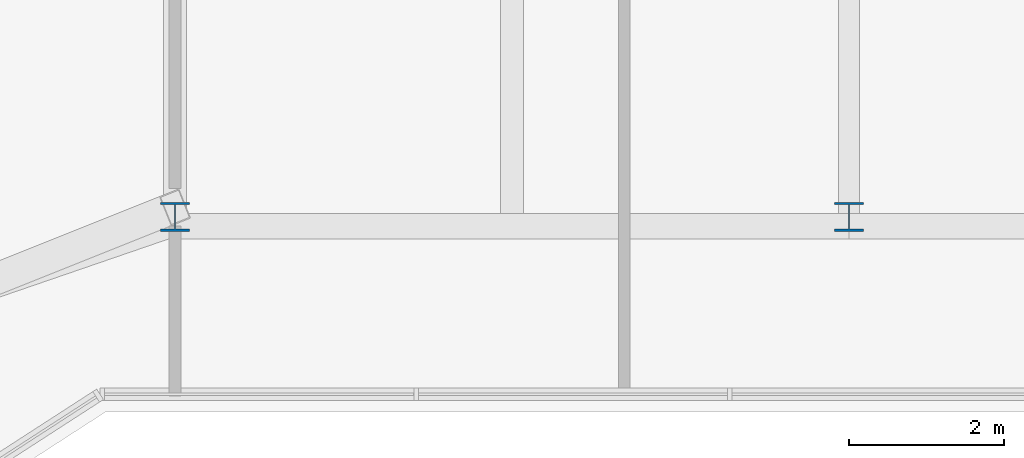
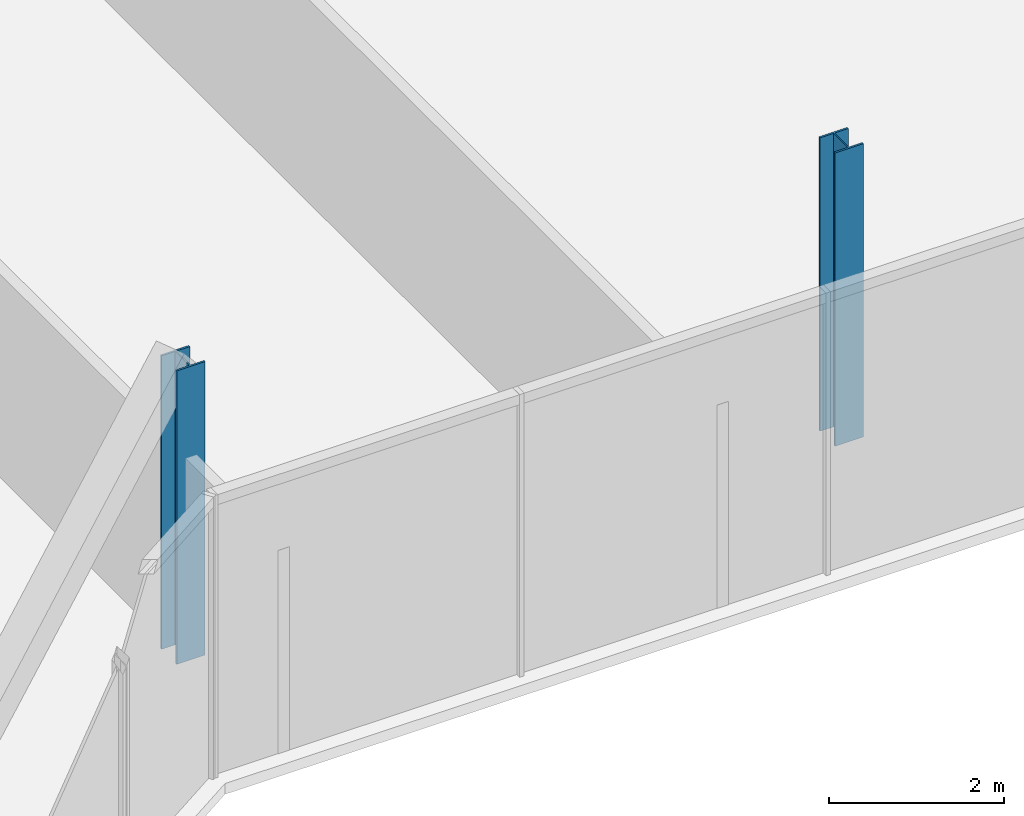
# One storey, part 2 of 20: 2 columns.
"""IFC4 building model written with IfcOpenShell, lengths in metres."""

from ifc_helpers import new_model, si_unit, direction, frame, origin, origin_2d, place, context, subcontext, project, spatial, i_section, extrude, material, material_profile, profile_set, type_object, element, save


model = new_model("IFC4")

# Units and contexts
model_context = context("Model", 3, precision=1e-05, world=origin(), true_north=direction((0.0, 1.0)))
body_context = subcontext(model_context, "Body", "Model", "MODEL_VIEW")
ifc_project = project(units=[si_unit("LENGTHUNIT", "METRE"), si_unit("AREAUNIT", "SQUARE_METRE"), si_unit("VOLUMEUNIT", "CUBIC_METRE"), si_unit("PLANEANGLEUNIT", "RADIAN"), si_unit("MASSUNIT", "GRAM", prefix="KILO")], contexts=[model_context])

# Site, building, storey
site_placement = place(None, origin())
site = spatial("IfcSite", under=ifc_project, at=site_placement, CompositionType="ELEMENT")
building_placement = place(site_placement, origin())
building = spatial("IfcBuilding", under=site, at=building_placement, Name="Bicima Exchange Tower", CompositionType="ELEMENT")
storey_placement = place(building_placement, frame((0.0, 0.0, 207.300048828125)))
storey = spatial("IfcBuildingStorey", under=building, at=storey_placement, Name="L46", CompositionType="ELEMENT", Elevation=207.300048828125)

# Columns
ifc_material = material(Name="Steel ASTM A992 Gr 50", Category="steel")
ifc_material_profile = material_profile(ifc_material, i_section(OverallWidth=0.373291015625, OverallDepth=0.373291015625, WebThickness=0.016357421875, FlangeThickness=0.026123046875, at=origin_2d()))
ifc_profile_set = profile_set([ifc_material_profile], Name="Steel ASTM A992 Gr 50")
column_type = type_object("IfcColumnType", Name="Perimeter column W14x132", PredefinedType="COLUMN", material=ifc_profile_set)
for number, where, z_axis, x_axis, name in (
    (1, (17.39990234375, -29.718017578125, 0.0), (0.0, 0.0, 1.0), (1.0, 0.0, 0.0), "Perimeter column grav+17.4f"),
    (2, (26.10009765625, -29.718017578125, 0.0), (0.0, 0.0, 1.0), (1.0, 0.0, 0.0), "Perimeter column grav+26.1f"),
):
    element("IfcColumn", number, at=place(storey_placement, frame(where, z_axis=z_axis, x_axis=x_axis)), inside=storey, type_object=column_type, Name=name, PredefinedType="COLUMN", context=body_context, shape_type="SweptSolid", body=[
        extrude(i_section(OverallWidth=0.373291015625, OverallDepth=0.373291015625, WebThickness=0.016357421875, FlangeThickness=0.026123046875, at=origin_2d()), origin(), (0.0, 0.0, 1.0), 4.099853515625),
    ])

save(model, "model.ifc")
